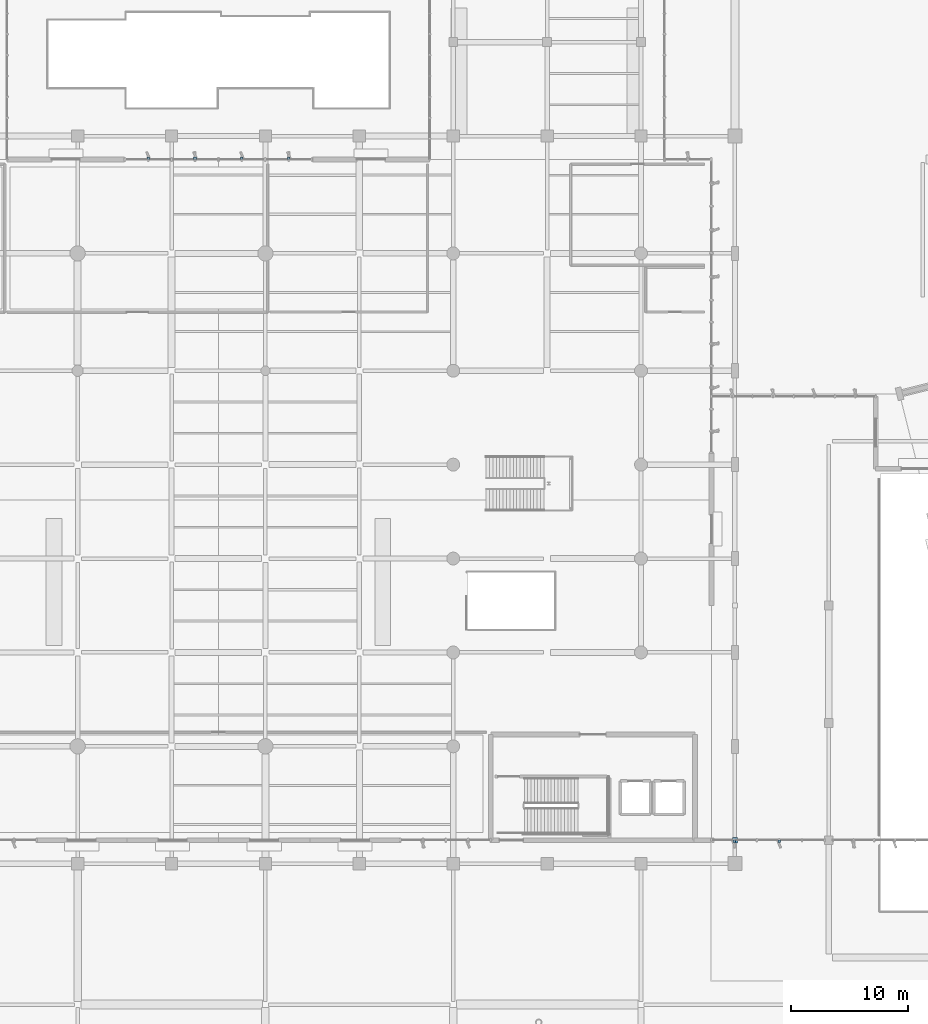
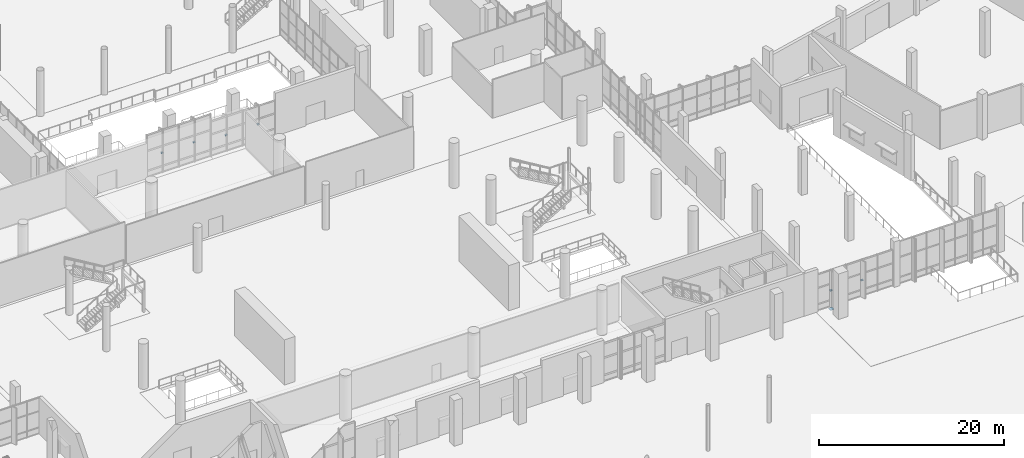
# One storey, part 137 of 163: 7 discrete accessories.
"""IFC4 building model written with IfcOpenShell, lengths in metres."""

import ifcopenshell
import ifcopenshell.guid

model = None  # the IFC model being written
_history = None  # IfcOwnerHistory: only IFC2X3 demands one
_inside = {}  # id of a spatial element -> (the spatial element, [elements in it])
_under = {}  # id of a project, library or spatial element -> (it, [spatial elements below it])
_declared = {}  # id of a project -> (the project, [libraries it declares])
_typed = {}  # id of a type object -> (the type object, [elements of that type])
_made_of = {}  # id of a material, layer set ... -> (it, [elements and type objects made of it])


def new_model(schema):
    """Start an empty IFC model of exactly this schema.

    Asked for "IFC4X3", IfcOpenShell would pick the latest addendum, in which some entities
    have other attributes; the version numbers below select the first issue.
    IFC2X3 requires an IfcOwnerHistory on every rooted entity: one is made here for all.
    """
    global model, _history
    if schema == "IFC4X3":
        model = ifcopenshell.file(schema_version=(4, 3, 0, 0))
    else:
        model = ifcopenshell.file(schema=schema)
    _inside.clear()
    _under.clear()
    _declared.clear()
    _typed.clear()
    _made_of.clear()
    _history = None
    if model.schema == "IFC2X3":
        org = make("IfcOrganization", Name="unknown")
        user = make(
            "IfcPersonAndOrganization",
            ThePerson=make("IfcPerson", FamilyName="unknown"),
            TheOrganization=org,
        )
        app = make(
            "IfcApplication",
            ApplicationDeveloper=org,
            Version="unknown",
            ApplicationFullName="unknown",
            ApplicationIdentifier="unknown",
        )
        _history = make(
            "IfcOwnerHistory",
            OwningUser=user,
            OwningApplication=app,
            ChangeAction="ADDED",
            CreationDate=0,
        )
    return model


def make(cls, **values):
    """One entity of the class cls with the attributes given. An attribute that is None is left unset."""
    return model.create_entity(
        cls, **{name: value for name, value in values.items() if value is not None}
    )


def rooted(cls, **values):
    """An entity with a GlobalId (a new one), such as an element, a storey or a relation."""
    return make(cls, GlobalId=ifcopenshell.guid.new(), OwnerHistory=_history, **values)


def si_unit(unit_type, name, prefix=None):
    """IfcSIUnit, for example si_unit("LENGTHUNIT", "METRE", prefix="MILLI")."""
    return make("IfcSIUnit", UnitType=unit_type, Prefix=prefix, Name=name)


def assignment(units):
    """IfcUnitAssignment: the units of a project."""
    return None if units is None else make("IfcUnitAssignment", Units=units)


def point(xyz):
    """IfcCartesianPoint."""
    return None if xyz is None else make("IfcCartesianPoint", Coordinates=xyz)


def direction(xyz):
    """IfcDirection."""
    return None if xyz is None else make("IfcDirection", DirectionRatios=xyz)


def frame(location, z_axis=None, x_axis=None):
    """IfcAxis2Placement3D, a coordinate frame: its origin and axes. An axis left out is left unset."""
    return make(
        "IfcAxis2Placement3D",
        Location=point(location),
        Axis=direction(z_axis),
        RefDirection=direction(x_axis),
    )


def frame_2d(location, x_axis=None):
    """IfcAxis2Placement2D, a coordinate frame in the plane: its origin and x axis."""
    return make(
        "IfcAxis2Placement2D", Location=point(location), RefDirection=direction(x_axis)
    )


def origin():
    """The frame at (0, 0, 0) with its axes left unset."""
    return frame((0.0, 0.0, 0.0))


def origin_2d():
    """The frame at (0, 0) in the plane with its x axis left unset."""
    return frame_2d((0.0, 0.0))


def place(relative_to, where):
    """IfcLocalPlacement: puts the frame where relative to a parent placement (None: the world)."""
    return make(
        "IfcLocalPlacement", PlacementRelTo=relative_to, RelativePlacement=where
    )


def context(
    kind, dimensions, precision=None, world=None, true_north=None, identifier=None
):
    """IfcGeometricRepresentationContext, for example the 3D "Model" context."""
    return make(
        "IfcGeometricRepresentationContext",
        ContextIdentifier=identifier,
        ContextType=kind,
        CoordinateSpaceDimension=dimensions,
        Precision=precision,
        WorldCoordinateSystem=world,
        TrueNorth=true_north,
    )


def subcontext(parent, identifier, kind, view, scale=None):
    """IfcGeometricRepresentationSubContext, for example "Body" below "Model"."""
    return make(
        "IfcGeometricRepresentationSubContext",
        ContextIdentifier=identifier,
        ContextType=kind,
        ParentContext=parent,
        TargetScale=scale,
        TargetView=view,
    )


def project(units=None, contexts=None):
    """IfcProject with its units and contexts."""
    return rooted(
        "IfcProject",
        Name="project",
        RepresentationContexts=contexts,
        UnitsInContext=assignment(units),
    )


def spatial(cls, under=None, at=None, **own):
    """A site, building, storey or space (cls), placed at a placement, below another one or the project."""
    s = rooted(cls, ObjectPlacement=at, **own)
    if under is not None:
        _under.setdefault(under.id(), (under, []))[1].append(s)
    return s


def profile(cls, at=None, kind="AREA", **sizes):
    """A parametric profile (cls). Its sizes go by their IFC names, for example OverallWidth=200.0."""
    return make(cls, ProfileType=kind, Position=at, **sizes)


def rectangle(**sizes):
    """IfcRectangleProfileDef."""
    return profile("IfcRectangleProfileDef", **sizes)


def extrude(swept, where, along, depth):
    """IfcExtrudedAreaSolid: the profile swept, set in the frame where, extruded along a direction by depth."""
    return make(
        "IfcExtrudedAreaSolid",
        SweptArea=swept,
        Position=where,
        ExtrudedDirection=direction(along),
        Depth=depth,
    )


def shape(context_of_items, identifier, shape_type, items):
    """IfcShapeRepresentation: the items that make up one representation, for example the "Body"."""
    return make(
        "IfcShapeRepresentation",
        ContextOfItems=context_of_items,
        RepresentationIdentifier=identifier,
        RepresentationType=shape_type,
        Items=items,
    )


def material(Name=None, Category=None):
    """IfcMaterial."""
    return make("IfcMaterial", Name=Name, Category=Category)


def made_of(thing, what):
    """Note that an element or type object is made of a material, layer set ...; save() writes the relation."""
    if what is not None:
        _made_of.setdefault(what.id(), (what, []))[1].append(thing)
    return thing


def type_object(cls, material=None, **own):
    """A type object (cls), such as IfcWallType, which elements share."""
    return made_of(rooted(cls, **own), material)


def element(
    cls,
    number,
    at=None,
    inside=None,
    cuts=None,
    type_object=None,
    material=None,
    context=None,
    identifier="Body",
    shape_type=None,
    held_by="IfcProductDefinitionShape",
    body=None,
    shapes=None,
    **own,
):
    """One element of the class cls, such as IfcWall. Its Tag is "e" and its number.

    at: its placement. inside: the storey or other place that contains it. cuts: it is an
    opening in that element (IfcRelVoidsElement). A single representation is given by context,
    identifier, shape_type and body (its items); several are given by shapes. held_by: the class
    of the entity that holds the representations. save() writes the other relations.
    """
    e = rooted(cls, Tag="e%d" % number, ObjectPlacement=at, **own)
    if body is not None:
        shapes = [shape(context, identifier, shape_type, body)]
    if shapes is not None:
        e.Representation = make(held_by, Representations=shapes)
    if inside is not None:
        _inside.setdefault(inside.id(), (inside, []))[1].append(e)
    if cuts is not None:
        rooted(
            "IfcRelVoidsElement", RelatingBuildingElement=cuts, RelatedOpeningElement=e
        )
    if type_object is not None:
        _typed.setdefault(type_object.id(), (type_object, []))[1].append(e)
    return made_of(e, material)


def aggregate(whole, parts):
    """IfcRelAggregates: a whole, such as a stair, and the parts it consists of."""
    return rooted("IfcRelAggregates", RelatingObject=whole, RelatedObjects=parts)


def save(model, path):
    """Write the relations noted so far, then the file.

    IfcRelAggregates (storeys below a building ...), IfcRelContainedInSpatialStructure (elements
    in a storey), IfcRelDefinesByType, IfcRelAssociatesMaterial and IfcRelDeclares: one each for
    every whole, place, type object, material and project.
    """
    for whole, parts in _under.values():
        aggregate(whole, parts)
    for where, things in _inside.values():
        rooted(
            "IfcRelContainedInSpatialStructure",
            RelatedElements=things,
            RelatingStructure=where,
        )
    for kind, things in _typed.values():
        rooted("IfcRelDefinesByType", RelatedObjects=things, RelatingType=kind)
    for what, things in _made_of.values():
        rooted("IfcRelAssociatesMaterial", RelatedObjects=things, RelatingMaterial=what)
    for by, libraries in _declared.values():
        rooted("IfcRelDeclares", RelatingContext=by, RelatedDefinitions=libraries)
    model.write(path)


model = new_model("IFC4")

# Units and contexts
model_context = context("Model", 3, precision=1e-05, world=origin(), true_north=direction((0.0, 1.0)))
body_context = subcontext(model_context, "Body", "Model", "MODEL_VIEW")
ifc_project = project(units=[si_unit("LENGTHUNIT", "METRE"), si_unit("AREAUNIT", "SQUARE_METRE"), si_unit("VOLUMEUNIT", "CUBIC_METRE"), si_unit("PLANEANGLEUNIT", "RADIAN"), si_unit("MASSUNIT", "GRAM", prefix="KILO")], contexts=[model_context])

# Site, building, storey
site_placement = place(None, origin())
site = spatial("IfcSite", under=ifc_project, at=site_placement, CompositionType="ELEMENT")
building_placement = place(site_placement, origin())
building = spatial("IfcBuilding", under=site, at=building_placement, Name="Khorjan Park Terminus", CompositionType="ELEMENT")
storey_placement = place(building_placement, origin())
storey = spatial("IfcBuildingStorey", under=building, at=storey_placement, Name="L00", CompositionType="ELEMENT", Elevation=0.0)

# Discrete accessories
ifc_material = material(Name="Steel S355", Category="steel")
discrete_accessory_type_1 = type_object("IfcDiscreteAccessoryType", Name="ACC-BRK-FIN", PredefinedType="BRACKET", material=ifc_material)
for number, where, z_axis, x_axis, name in (
    (1, (90.0, 86.09, 2.459), (0.0, 0.0, 1.0), (-1.0, 0.0, 0.0), "Solar fin structural bracket BK-01 (CW-V2-N-L00-04-1)"),
    (2, (86.0, 86.09, 2.459), (0.0, 0.0, 1.0), (-1.0, 0.0, 0.0), "Solar fin structural bracket BK-01 (CW-V2-N-L00-04-3)"),
    (3, (98.0, 86.09, 2.0113), (0.0, 0.0, 1.0), (-1.0, 0.0, 0.0), "Solar fin structural bracket BK-01 (CW-V2-N-L00-05-1)"),
    (4, (94.0, 86.09, 2.0113), (0.0, 0.0, 1.0), (-1.0, 0.0, 0.0), "Solar fin structural bracket BK-01 (CW-V2-N-L00-05-3)"),
    (5, (135.929, 27.91, 2.1013), (0.0, 0.0, 1.0), (1.0, 0.0, 0.0), "Solar fin structural bracket BK-01 (CW-V5L-S-L00-1-1)"),
    (6, (139.787, 27.91, 2.1013), (0.0, 0.0, 1.0), (1.0, 0.0, 0.0), "Solar fin structural bracket BK-01 (CW-V5L-S-L00-1-3)"),
):
    element("IfcDiscreteAccessory", number, at=place(storey_placement, frame(where, z_axis=z_axis, x_axis=x_axis)), inside=storey, type_object=discrete_accessory_type_1, Name=name, PredefinedType="BRACKET", context=body_context, shape_type="SweptSolid", body=[
        extrude(rectangle(XDim=0.22, YDim=0.22, at=origin_2d()), origin(), (0.0, 0.0, 1.0), 0.14),
    ])
discrete_accessory_type_2 = type_object("IfcDiscreteAccessoryType", Name="ACC-SHOE-PTFE", PredefinedType="SHOE", material=ifc_material)
discrete_accessory_placement = place(storey_placement, frame((136.0, 28.0, -0.41), z_axis=(0.0, 0.0, 1.0), x_axis=(1.0, 0.0, 0.0)))
element("IfcDiscreteAccessory", 7, at=discrete_accessory_placement, inside=storey, type_object=discrete_accessory_type_2, Name="Unguided PTFE elastomeric movement-joint bearing BRG-01 (3)", PredefinedType="SHOE", context=body_context, shape_type="SweptSolid", body=[
    extrude(rectangle(XDim=0.45, YDim=0.45, at=origin_2d()), origin(), (0.0, 0.0, 1.0), 0.08),
])

save(model, "model.ifc")
